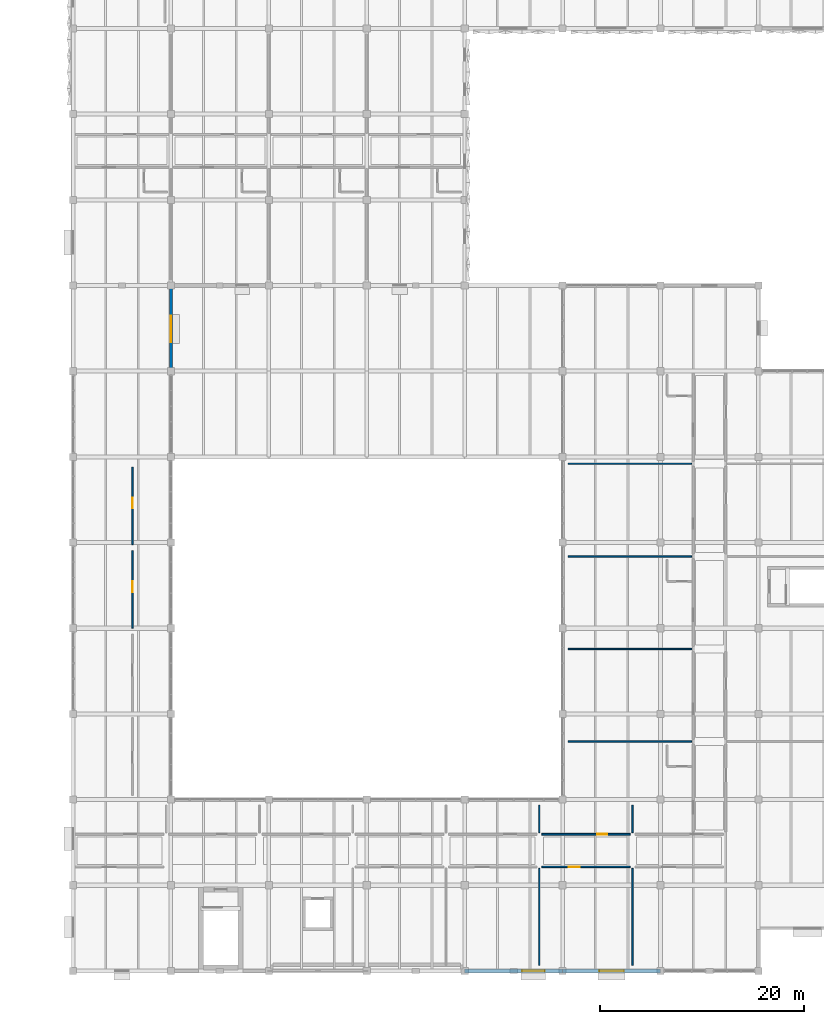
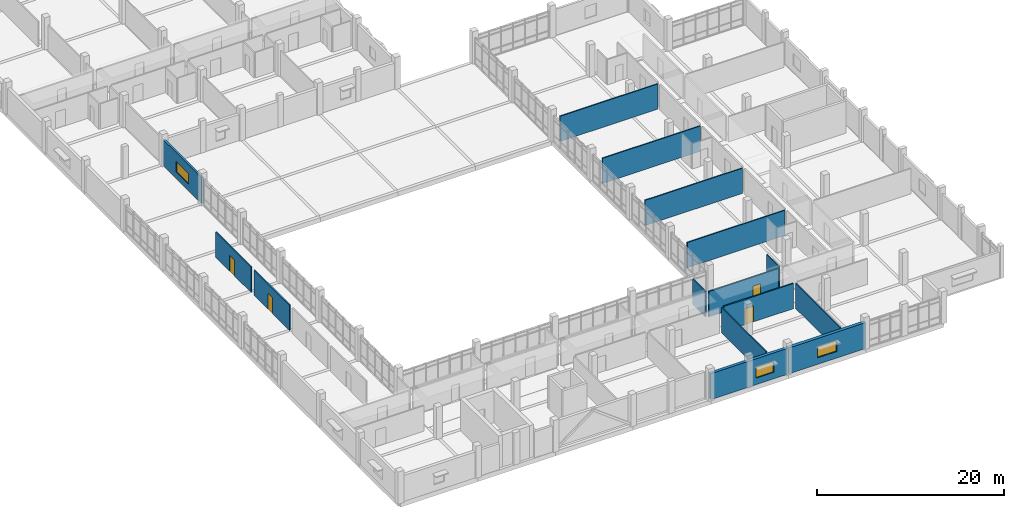
# One storey, part 41 of 57: 15 walls, 4 doors, 3 windows, 7 openings.
"""IFC4 building model written with IfcOpenShell, lengths in metres."""

from ifc_helpers import new_model, si_unit, direction, frame, frame_2d, origin, place, context, subcontext, project, spatial, rectangle, extrude, material, layer, layer_set, type_object, element, fill, save


model = new_model("IFC4")

# Units and contexts
model_context = context("Model", 3, precision=1e-05, world=origin(), true_north=direction((0.0, 1.0)))
body_context = subcontext(model_context, "Body", "Model", "MODEL_VIEW")
ifc_project = project(units=[si_unit("LENGTHUNIT", "METRE"), si_unit("AREAUNIT", "SQUARE_METRE"), si_unit("VOLUMEUNIT", "CUBIC_METRE"), si_unit("PLANEANGLEUNIT", "RADIAN"), si_unit("MASSUNIT", "GRAM", prefix="KILO")], contexts=[model_context])

# Site, building, storey
site_placement = place(None, origin())
site = spatial("IfcSite", under=ifc_project, at=site_placement, CompositionType="ELEMENT")
building_placement = place(site_placement, origin())
building = spatial("IfcBuilding", under=site, at=building_placement, Name="Oolite Switchyard Hospital", CompositionType="ELEMENT")
storey_placement = place(building_placement, frame((0.0, 0.0, 17.800048828125)))
storey = spatial("IfcBuildingStorey", under=building, at=storey_placement, Name="L04", CompositionType="ELEMENT", Elevation=17.800048828125)

# Wall, opening, window
ifc_material_1 = material(Name="Precast oolitic limestone architectural concrete C40/50", Category="masonry")
ifc_layer_1 = layer(ifc_material_1, 0.260009765625)
ifc_layer_set_1 = layer_set([ifc_layer_1], Name="WAL-EXT-260")
wall_type_1 = type_object("IfcWallType", Name="WAL-EXT-260", PredefinedType="SOLIDWALL", material=ifc_layer_set_1)
wall_1_placement = place(storey_placement, frame((144.0, 75.43994140625, 0.0), z_axis=(0.0, 0.0, 1.0), x_axis=(0.0, -1.0, 0.0)))
wall_1 = element("IfcWall", 1, at=wall_1_placement, inside=storey, type_object=wall_type_1, Name="L04 Exterior Spandrel Wall 297", PredefinedType="SOLIDWALL", context=body_context, shape_type="SweptSolid", body=[
    extrude(rectangle(XDim=8.239990234375, YDim=0.260009765625, at=frame_2d((4.1201171875, 0.0))), origin(), (0.0, 0.0, 1.0), 3.389892578125),
])
opening_1_placement = place(wall_1_placement, frame((2.820068359375, 0.0, 0.85009765625)))
opening_1 = element("IfcOpeningElement", 2, at=opening_1_placement, cuts=wall_1, Name="Opening WN-0178", PredefinedType="OPENING", context=body_context, shape_type="SweptSolid", body=[
    extrude(rectangle(XDim=2.60009765625, YDim=1.39990234375, at=frame_2d((1.300048828125, 0.699951171875))), frame((0.0, 0.14013671875, 0.0), z_axis=(0.0, -1.0, 0.0), x_axis=(1.0, 0.0, 0.0)), (0.0, 0.0, 1.0), 0.280029296875),
])
ifc_material_2 = material(Name="Thermally broken aluminum frame with laminated impact glazing", Category="aluminium")
window_type_1 = type_object("IfcWindowType", Name="WIN-IMP-260X140", PartitioningType="SINGLE_PANEL", PredefinedType="WINDOW", material=ifc_material_2)
window_1_placement = place(opening_1_placement, origin())
window_1 = element("IfcWindow", 3, at=window_1_placement, inside=storey, type_object=window_type_1, Name="L04 Hurricane Impact Window WN-0178", OverallHeight=1.39990234375, OverallWidth=2.60009765625, PartitioningType="SINGLE_PANEL", PredefinedType="WINDOW", context=body_context, shape_type="SweptSolid", body=[
    extrude(rectangle(XDim=2.60009765625, YDim=1.39990234375, at=frame_2d((1.300048828125, 0.699951171875))), frame((0.0, 0.030029296875, 0.0), z_axis=(0.0, -1.0, 0.0), x_axis=(1.0, 0.0, 0.0)), (0.0, 0.0, 1.0), 0.06005859375),
])
fill(opening_1, window_1)

ifc_layer_2 = layer(ifc_material_1, 0.360107421875)
ifc_layer_set_2 = layer_set([ifc_layer_2], Name="WAL-EXT-360")
wall_type_2 = type_object("IfcWallType", Name="WAL-EXT-360", PredefinedType="SOLIDWALL", material=ifc_layer_set_2)
wall_2_placement = place(storey_placement, frame((182.39990234375, 8.39990234375, 0.0), z_axis=(0.0, 0.0, 1.0), x_axis=(-1.0, 0.0, 0.0)))
wall_2 = element("IfcWall", 4, at=wall_2_placement, inside=storey, type_object=wall_type_2, Name="L04 Exterior Spandrel Wall 253", PredefinedType="SOLIDWALL", context=body_context, shape_type="SweptSolid", body=[
    extrude(rectangle(XDim=9.599853515625, YDim=0.360107421875, at=frame_2d((4.7998046875, 0.0))), origin(), (0.0, 0.0, 1.0), 3.389892578125),
])
opening_2_placement = place(wall_2_placement, frame((1.77587890625, 0.0, 0.85009765625)))
opening_2 = element("IfcOpeningElement", 5, at=opening_2_placement, cuts=wall_2, Name="Opening WN-0148", PredefinedType="OPENING", context=body_context, shape_type="SweptSolid", body=[
    extrude(rectangle(XDim=2.199951171875, YDim=1.39990234375, at=frame_2d((1.10009765625, 0.699951171875))), frame((0.0, 0.18994140625, 0.0), z_axis=(0.0, -1.0, 0.0), x_axis=(1.0, 0.0, 0.0)), (0.0, 0.0, 1.0), 0.380126953125),
])
window_type_2 = type_object("IfcWindowType", Name="WIN-IMP-220X140", PartitioningType="SINGLE_PANEL", PredefinedType="WINDOW", material=ifc_material_2)
window_2_placement = place(opening_2_placement, origin())
window_2 = element("IfcWindow", 6, at=window_2_placement, inside=storey, type_object=window_type_2, Name="L04 Hurricane Impact Window WN-0148", OverallHeight=1.39990234375, OverallWidth=2.199951171875, PartitioningType="SINGLE_PANEL", PredefinedType="WINDOW", context=body_context, shape_type="SweptSolid", body=[
    extrude(rectangle(XDim=2.199951171875, YDim=1.39990234375, at=frame_2d((1.10009765625, 0.699951171875))), frame((0.0, 0.030029296875, 0.0), z_axis=(0.0, -1.0, 0.0), x_axis=(1.0, 0.0, 0.0)), (0.0, 0.0, 1.0), 0.06005859375),
])
fill(opening_2, window_2)

ifc_layer_3 = layer(ifc_material_1, 0.3798828125)
ifc_layer_set_3 = layer_set([ifc_layer_3], Name="WAL-EXT-380")
wall_type_3 = type_object("IfcWallType", Name="WAL-EXT-380", PredefinedType="SOLIDWALL", material=ifc_layer_set_3)
wall_3_placement = place(storey_placement, frame((192.0, 8.39990234375, 0.0), z_axis=(0.0, 0.0, 1.0), x_axis=(-1.0, 0.0, 0.0)))
wall_3 = element("IfcWall", 7, at=wall_3_placement, inside=storey, type_object=wall_type_3, Name="L04 Exterior Spandrel Wall 254", PredefinedType="SOLIDWALL", context=body_context, shape_type="SweptSolid", body=[
    extrude(rectangle(XDim=9.60009765625, YDim=0.3798828125, at=frame_2d((4.800048828125, 0.0))), origin(), (0.0, 0.0, 1.0), 3.389892578125),
])
opening_3_placement = place(wall_3_placement, frame((3.60009765625, 0.0, 0.85009765625)))
opening_3 = element("IfcOpeningElement", 8, at=opening_3_placement, cuts=wall_3, Name="Opening WN-0149", PredefinedType="OPENING", context=body_context, shape_type="SweptSolid", body=[
    extrude(rectangle(XDim=2.39990234375, YDim=1.39990234375, at=frame_2d((1.199951171875, 0.699951171875))), frame((0.0, 0.199951171875, 0.0), z_axis=(0.0, -1.0, 0.0), x_axis=(1.0, 0.0, 0.0)), (0.0, 0.0, 1.0), 0.39990234375),
])
window_type_3 = type_object("IfcWindowType", Name="WIN-IMP-240X140", PartitioningType="SINGLE_PANEL", PredefinedType="WINDOW", material=ifc_material_2)
window_3_placement = place(opening_3_placement, origin())
window_3 = element("IfcWindow", 9, at=window_3_placement, inside=storey, type_object=window_type_3, Name="L04 Hurricane Impact Window WN-0149", OverallHeight=1.39990234375, OverallWidth=2.39990234375, PartitioningType="SINGLE_PANEL", PredefinedType="WINDOW", context=body_context, shape_type="SweptSolid", body=[
    extrude(rectangle(XDim=2.39990234375, YDim=1.39990234375, at=frame_2d((1.199951171875, 0.699951171875))), frame((0.0, 0.030029296875, 0.0), z_axis=(0.0, -1.0, 0.0), x_axis=(1.0, 0.0, 0.0)), (0.0, 0.0, 1.0), 0.06005859375),
])
fill(opening_3, window_3)

# Walls
ifc_material_3 = material(Name="Moisture-resistant gypsum board on steel studs", Category="steel")
ifc_layer_4 = layer(ifc_material_3, 0.135009765625)
ifc_layer_set_4 = layer_set([ifc_layer_4], Name="WAL-PART-135")
wall_type_4 = type_object("IfcWallType", Name="WAL-PART-135", PredefinedType="PARTITIONING", material=ifc_layer_set_4)
wall_4_placement = place(storey_placement, frame((180.114990234375, 8.949951171875, 0.0), z_axis=(0.0, 0.0, 1.0), x_axis=(0.0, 1.0, 0.0)))
element("IfcWall", 10, at=wall_4_placement, inside=storey, type_object=wall_type_4, Name="L04 Interior Partition 800", PredefinedType="PARTITIONING", context=body_context, shape_type="SweptSolid", body=[
    extrude(rectangle(XDim=9.5, YDim=0.135009765625, at=frame_2d((4.75, 0.0))), origin(), (0.0, 0.0, 1.0), 3.300048828125),
])
wall_5_placement = place(storey_placement, frame((180.114990234375, 21.949951171875, 0.0), z_axis=(0.0, 0.0, 1.0), x_axis=(0.0, 1.0, 0.0)))
element("IfcWall", 11, at=wall_5_placement, inside=storey, type_object=wall_type_4, Name="L04 Interior Partition 802", PredefinedType="PARTITIONING", context=body_context, shape_type="SweptSolid", body=[
    extrude(rectangle(XDim=2.699951171875, YDim=0.135009765625, at=frame_2d((1.35009765625, 0.0))), origin(), (0.0, 0.0, 1.0), 3.300048828125),
])
wall_6_placement = place(storey_placement, frame((189.258056640625, 8.949951171875, 0.0), z_axis=(0.0, 0.0, 1.0), x_axis=(0.0, 1.0, 0.0)))
element("IfcWall", 12, at=wall_6_placement, inside=storey, type_object=wall_type_4, Name="L04 Interior Partition 804", PredefinedType="PARTITIONING", context=body_context, shape_type="SweptSolid", body=[
    extrude(rectangle(XDim=9.5, YDim=0.135009765625, at=frame_2d((4.75, 0.0))), origin(), (0.0, 0.0, 1.0), 3.300048828125),
])
wall_7_placement = place(storey_placement, frame((189.258056640625, 21.949951171875, 0.0), z_axis=(0.0, 0.0, 1.0), x_axis=(0.0, 1.0, 0.0)))
element("IfcWall", 13, at=wall_7_placement, inside=storey, type_object=wall_type_4, Name="L04 Interior Partition 806", PredefinedType="PARTITIONING", context=body_context, shape_type="SweptSolid", body=[
    extrude(rectangle(XDim=2.699951171875, YDim=0.135009765625, at=frame_2d((1.35009765625, 0.0))), origin(), (0.0, 0.0, 1.0), 3.300048828125),
])
for number, where, z_axis, x_axis, name in (
    (14, (182.949951171875, 30.8798828125, 0.0), (0.0, 0.0, 1.0), (1.0, 0.0, 0.0), "L04 Interior Partition 812"),
    (15, (182.949951171875, 39.9599609375, 0.0), (0.0, 0.0, 1.0), (1.0, 0.0, 0.0), "L04 Interior Partition 818"),
    (16, (182.949951171875, 49.0400390625, 0.0), (0.0, 0.0, 1.0), (1.0, 0.0, 0.0), "L04 Interior Partition 820"),
    (17, (182.949951171875, 58.1201171875, 0.0), (0.0, 0.0, 1.0), (1.0, 0.0, 0.0), "L04 Interior Partition 826"),
):
    element("IfcWall", number, at=place(storey_placement, frame(where, z_axis=z_axis, x_axis=x_axis)), inside=storey, type_object=wall_type_4, Name=name, PredefinedType="PARTITIONING", context=body_context, shape_type="SweptSolid", body=[
        extrude(rectangle(XDim=12.10009765625, YDim=0.135009765625, at=frame_2d((6.050048828125, 0.0))), origin(), (0.0, 0.0, 1.0), 3.300048828125),
    ])

# Wall, opening, door
ifc_layer_5 = layer(ifc_material_3, 0.14990234375)
ifc_layer_set_5 = layer_set([ifc_layer_5], Name="WAL-PART-150")
wall_type_5 = type_object("IfcWallType", Name="WAL-PART-150", PredefinedType="PARTITIONING", material=ifc_layer_set_5)
wall_8_placement = place(storey_placement, frame((140.25, 42.0, 0.0), z_axis=(0.0, 0.0, 1.0), x_axis=(0.0, 1.0, 0.0)))
wall_8 = element("IfcWall", 18, at=wall_8_placement, inside=storey, type_object=wall_type_5, Name="L04 Interior Partition 987", PredefinedType="PARTITIONING", context=body_context, shape_type="SweptSolid", body=[
    extrude(rectangle(XDim=7.60009765625, YDim=0.14990234375, at=frame_2d((3.800048828125, 0.0))), origin(), (0.0, 0.0, 1.0), 3.300048828125),
])
opening_4_placement = place(wall_8_placement, frame((3.550048828125, 0.0, 0.0)))
opening_4 = element("IfcOpeningElement", 19, at=opening_4_placement, cuts=wall_8, Name="Opening D-0555", PredefinedType="OPENING", context=body_context, shape_type="SweptSolid", body=[
    extrude(rectangle(XDim=1.050048828125, YDim=2.10009765625, at=frame_2d((0.52490234375, 1.050048828125))), frame((0.0, 0.0849609375, 0.0), z_axis=(0.0, -1.0, 0.0), x_axis=(1.0, 0.0, 0.0)), (0.0, 0.0, 1.0), 0.169921875),
])
ifc_material_4 = material(Name="Solid-core antimicrobial hardwood leaf in steel frame", Category="steel")
door_type_1 = type_object("IfcDoorType", Name="DR-EXAM-105X210", OperationType="NOTDEFINED", PredefinedType="DOOR", material=ifc_material_4)
door_1_placement = place(opening_4_placement, origin())
door_1 = element("IfcDoor", 20, at=door_1_placement, inside=storey, type_object=door_type_1, Name="L04 Interior Door D-0555", OperationType="SINGLE_SWING_LEFT", OverallHeight=2.10009765625, OverallWidth=1.050048828125, PredefinedType="DOOR", context=body_context, shape_type="SweptSolid", body=[
    extrude(rectangle(XDim=1.050048828125, YDim=2.10009765625, at=frame_2d((0.52490234375, 1.050048828125))), frame((0.0, 0.02490234375, 0.0), z_axis=(0.0, -1.0, 0.0), x_axis=(1.0, 0.0, 0.0)), (0.0, 0.0, 1.0), 0.050048828125),
])
fill(opening_4, door_1)

wall_9_placement = place(storey_placement, frame((140.25, 50.199951171875, 0.0), z_axis=(0.0, 0.0, 1.0), x_axis=(0.0, 1.0, 0.0)))
wall_9 = element("IfcWall", 21, at=wall_9_placement, inside=storey, type_object=wall_type_5, Name="L04 Interior Partition 988", PredefinedType="PARTITIONING", context=body_context, shape_type="SweptSolid", body=[
    extrude(rectangle(XDim=7.60009765625, YDim=0.14990234375, at=frame_2d((3.800048828125, 0.0))), origin(), (0.0, 0.0, 1.0), 3.300048828125),
])
opening_5_placement = place(wall_9_placement, frame((3.550048828125, 0.0, 0.0)))
opening_5 = element("IfcOpeningElement", 22, at=opening_5_placement, cuts=wall_9, Name="Opening D-0556", PredefinedType="OPENING", context=body_context, shape_type="SweptSolid", body=[
    extrude(rectangle(XDim=1.050048828125, YDim=2.10009765625, at=frame_2d((0.52490234375, 1.050048828125))), frame((0.0, 0.0849609375, 0.0), z_axis=(0.0, -1.0, 0.0), x_axis=(1.0, 0.0, 0.0)), (0.0, 0.0, 1.0), 0.169921875),
])
door_2_placement = place(opening_5_placement, origin())
door_2 = element("IfcDoor", 23, at=door_2_placement, inside=storey, type_object=door_type_1, Name="L04 Interior Door D-0556", OperationType="SINGLE_SWING_RIGHT", OverallHeight=2.10009765625, OverallWidth=1.050048828125, PredefinedType="DOOR", context=body_context, shape_type="SweptSolid", body=[
    extrude(rectangle(XDim=1.050048828125, YDim=2.10009765625, at=frame_2d((0.52490234375, 1.050048828125))), frame((0.0, 0.02490234375, 0.0), z_axis=(0.0, -1.0, 0.0), x_axis=(1.0, 0.0, 0.0)), (0.0, 0.0, 1.0), 0.050048828125),
])
fill(opening_5, door_2)

ifc_layer_6 = layer(ifc_material_3, 0.1650390625)
ifc_layer_set_6 = layer_set([ifc_layer_6], Name="WAL-PART-165")
wall_type_6 = type_object("IfcWallType", Name="WAL-PART-165", PredefinedType="PARTITIONING", material=ifc_layer_set_6)
wall_10_placement = place(storey_placement, frame((180.364990234375, 18.60009765625, 0.0), z_axis=(0.0, 0.0, 1.0), x_axis=(1.0, 0.0, 0.0)))
wall_10 = element("IfcWall", 24, at=wall_10_placement, inside=storey, type_object=wall_type_6, Name="L04 Interior Partition 799", PredefinedType="PARTITIONING", context=body_context, shape_type="SweptSolid", body=[
    extrude(rectangle(XDim=8.64306640625, YDim=0.1650390625, at=frame_2d((4.321533203125, 0.0))), origin(), (0.0, 0.0, 1.0), 3.300048828125),
])
opening_6_placement = place(wall_10_placement, frame((2.64990234375, 0.0, 0.0)))
opening_6 = element("IfcOpeningElement", 25, at=opening_6_placement, cuts=wall_10, Name="Opening D-0444", PredefinedType="OPENING", context=body_context, shape_type="SweptSolid", body=[
    extrude(rectangle(XDim=1.050048828125, YDim=2.10009765625, at=frame_2d((0.52490234375, 1.050048828125))), frame((0.0, 0.092529296875, 0.0), z_axis=(0.0, -1.0, 0.0), x_axis=(1.0, 0.0, 0.0)), (0.0, 0.0, 1.0), 0.18505859375),
])
door_3_placement = place(opening_6_placement, origin())
door_3 = element("IfcDoor", 26, at=door_3_placement, inside=storey, type_object=door_type_1, Name="L04 Interior Door D-0444", OperationType="SINGLE_SWING_RIGHT", OverallHeight=2.10009765625, OverallWidth=1.050048828125, PredefinedType="DOOR", context=body_context, shape_type="SweptSolid", body=[
    extrude(rectangle(XDim=1.050048828125, YDim=2.10009765625, at=frame_2d((0.52490234375, 1.050048828125))), frame((0.0, 0.02490234375, 0.0), z_axis=(0.0, -1.0, 0.0), x_axis=(1.0, 0.0, 0.0)), (0.0, 0.0, 1.0), 0.050048828125),
])
fill(opening_6, door_3)

wall_11_placement = place(storey_placement, frame((180.364990234375, 21.800048828125, 0.0), z_axis=(0.0, 0.0, 1.0), x_axis=(1.0, 0.0, 0.0)))
wall_11 = element("IfcWall", 27, at=wall_11_placement, inside=storey, type_object=wall_type_6, Name="L04 Interior Partition 801", PredefinedType="PARTITIONING", context=body_context, shape_type="SweptSolid", body=[
    extrude(rectangle(XDim=8.64306640625, YDim=0.1650390625, at=frame_2d((4.321533203125, 0.0))), origin(), (0.0, 0.0, 1.0), 3.300048828125),
])
opening_7_placement = place(wall_11_placement, frame((5.449951171875, 0.0, 0.0)))
opening_7 = element("IfcOpeningElement", 28, at=opening_7_placement, cuts=wall_11, Name="Opening D-0445", PredefinedType="OPENING", context=body_context, shape_type="SweptSolid", body=[
    extrude(rectangle(XDim=0.949951171875, YDim=2.10009765625, at=frame_2d((0.47509765625, 1.050048828125))), frame((0.0, 0.092529296875, 0.0), z_axis=(0.0, -1.0, 0.0), x_axis=(1.0, 0.0, 0.0)), (0.0, 0.0, 1.0), 0.18505859375),
])
door_type_2 = type_object("IfcDoorType", Name="DR-BATH-095X210", OperationType="NOTDEFINED", PredefinedType="DOOR", material=ifc_material_4)
door_4_placement = place(opening_7_placement, origin())
door_4 = element("IfcDoor", 29, at=door_4_placement, inside=storey, type_object=door_type_2, Name="L04 Interior Door D-0445", OperationType="SINGLE_SWING_LEFT", OverallHeight=2.10009765625, OverallWidth=0.949951171875, PredefinedType="DOOR", context=body_context, shape_type="SweptSolid", body=[
    extrude(rectangle(XDim=0.949951171875, YDim=2.10009765625, at=frame_2d((0.47509765625, 1.050048828125))), frame((0.0, 0.02490234375, 0.0), z_axis=(0.0, -1.0, 0.0), x_axis=(1.0, 0.0, 0.0)), (0.0, 0.0, 1.0), 0.050048828125),
])
fill(opening_7, door_4)

save(model, "model.ifc")
